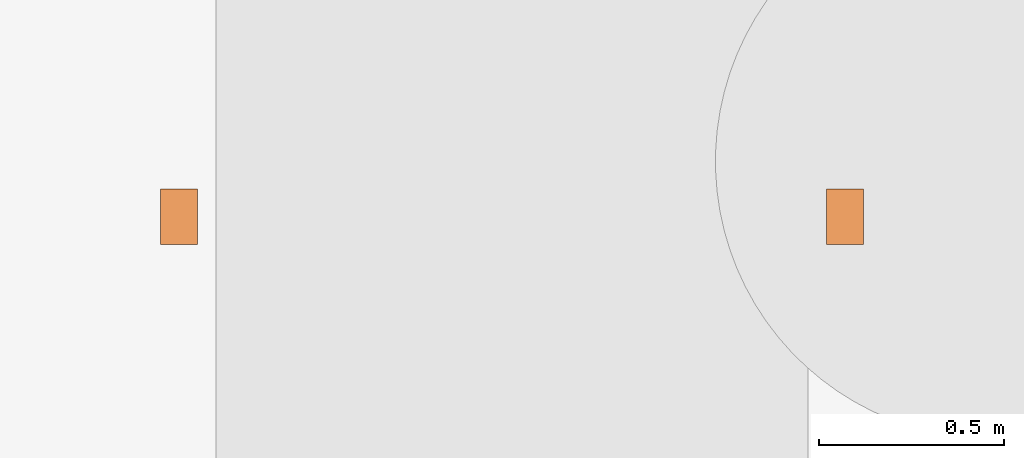
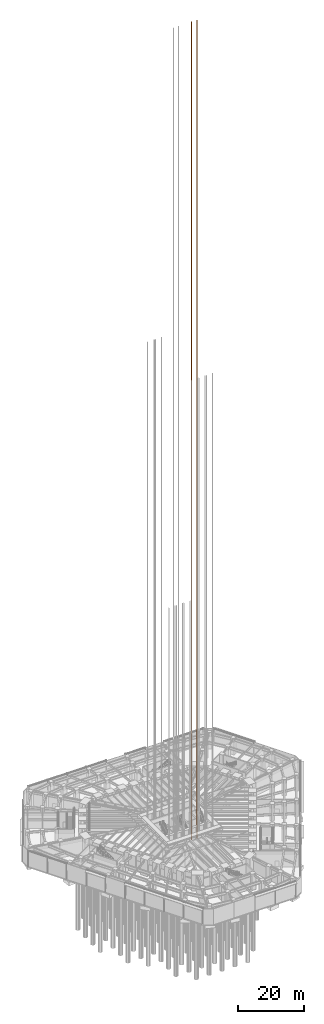
# One storey, part 33 of 34: 1 proxy.
"""IFC4 building model written with IfcOpenShell, lengths in metres."""

from ifc_helpers import new_model, si_unit, direction, frame, origin, origin_2d, place, context, subcontext, project, spatial, rectangle, extrude, material, type_object, element, save


model = new_model("IFC4")

# Units and contexts
model_context = context("Model", 3, precision=1e-05, world=origin(), true_north=direction((0.0, 1.0)))
body_context = subcontext(model_context, "Body", "Model", "MODEL_VIEW")
ifc_project = project(units=[si_unit("LENGTHUNIT", "METRE"), si_unit("AREAUNIT", "SQUARE_METRE"), si_unit("VOLUMEUNIT", "CUBIC_METRE"), si_unit("PLANEANGLEUNIT", "RADIAN"), si_unit("MASSUNIT", "GRAM", prefix="KILO")], contexts=[model_context])

# Site, building, storey
site_placement = place(None, origin())
site = spatial("IfcSite", under=ifc_project, at=site_placement, CompositionType="ELEMENT")
building_placement = place(site_placement, origin())
building = spatial("IfcBuilding", under=site, at=building_placement, Name="Sandreach Pilgrim Tower", CompositionType="ELEMENT")
storey_placement = place(building_placement, origin())
storey = spatial("IfcBuildingStorey", under=building, at=storey_placement, Name="L00", CompositionType="ELEMENT", Elevation=0.0)

# Proxy
ifc_material = material(Name="Steel guide rail", Category="steel")
building_element_proxy_type = type_object("IfcBuildingElementProxyType", Name="Lift guide rails", PredefinedType="NOTDEFINED", material=ifc_material)
proxy_placement = place(storey_placement, frame((3.199951171875, -4.64990234375, 0.0), z_axis=(0.0, 0.0, 1.0), x_axis=(1.0, 0.0, 0.0)))
element("IfcBuildingElementProxy", 1, at=proxy_placement, inside=storey, type_object=building_element_proxy_type, Name="Guide rails FS2", PredefinedType="NOTDEFINED", context=body_context, shape_type="SweptSolid", body=[
    extrude(rectangle(XDim=0.10009765625, YDim=0.14990234375, at=origin_2d()), frame((-0.900146484375, 0.0, 0.0)), (0.0, 0.0, 1.0), 302.39990234375),
    extrude(rectangle(XDim=0.10009765625, YDim=0.14990234375, at=origin_2d()), frame((0.900146484375, 0.0, 0.0)), (0.0, 0.0, 1.0), 302.39990234375),
])

save(model, "model.ifc")
